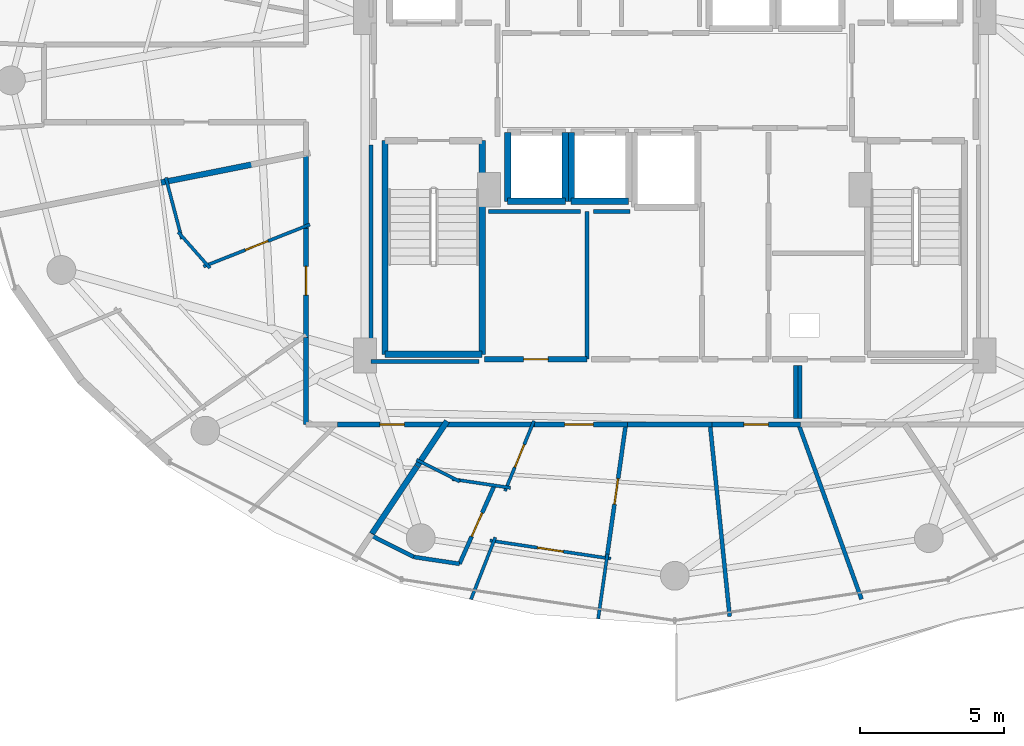
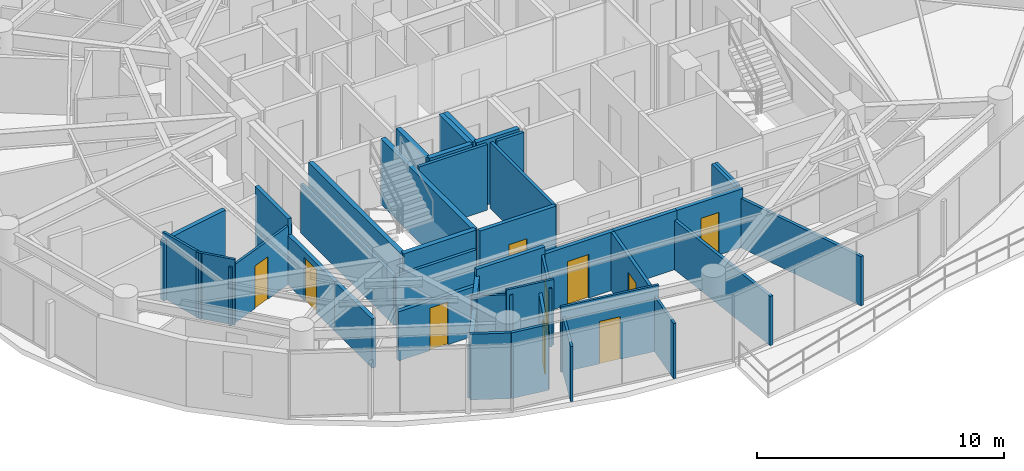
# One storey, part 21 of 30: 42 walls, 10 doors, 10 openings.
"""IFC4 building model written with IfcOpenShell, lengths in metres."""

from ifc_helpers import new_model, si_unit, direction, frame, frame_2d, origin, place, context, subcontext, project, spatial, rectangle, extrude, material, layer, layer_set, type_object, element, fill, save


model = new_model("IFC4")

# Units and contexts
model_context = context("Model", 3, precision=1e-05, world=origin(), true_north=direction((0.0, 1.0)))
body_context = subcontext(model_context, "Body", "Model", "MODEL_VIEW")
ifc_project = project(units=[si_unit("LENGTHUNIT", "METRE"), si_unit("AREAUNIT", "SQUARE_METRE"), si_unit("VOLUMEUNIT", "CUBIC_METRE"), si_unit("PLANEANGLEUNIT", "RADIAN"), si_unit("MASSUNIT", "GRAM", prefix="KILO")], contexts=[model_context])

# Site, building, storey
site_placement = place(None, origin())
site = spatial("IfcSite", under=ifc_project, at=site_placement, CompositionType="ELEMENT")
building_placement = place(site_placement, origin())
building = spatial("IfcBuilding", under=site, at=building_placement, Name="Vorneva Point Tower", CompositionType="ELEMENT")
storey_placement = place(building_placement, frame((0.0, 0.0, 157.10009765625)))
storey = spatial("IfcBuildingStorey", under=building, at=storey_placement, Name="L42", CompositionType="ELEMENT", Elevation=157.10009765625)

# Wall, opening, door
ifc_material_1 = material(Name="Fire-rated acoustic gypsum stud partition", Category="gypsum")
ifc_layer_1 = layer(ifc_material_1, 0.110107421875)
ifc_layer_set_1 = layer_set([ifc_layer_1], Name="Fire-rated acoustic gypsum stud partition")
wall_type_1 = type_object("IfcWallType", Name="WL-PART-110", PredefinedType="PARTITIONING", material=ifc_layer_set_1)
wall_1_placement = place(storey_placement, frame((25.330078125, 20.997314453125, 0.0), z_axis=(0.0, 0.0, 1.0), x_axis=(-0.930092731386, -0.367324803169, 0.0)))
wall_1 = element("IfcWall", 1, at=wall_1_placement, inside=storey, type_object=wall_type_1, Name="L42 Interior Partition 118", PredefinedType="PARTITIONING", context=body_context, shape_type="SweptSolid", body=[
    extrude(rectangle(XDim=3.968505859375, YDim=0.110107421875, at=frame_2d((1.984375, 0.0))), origin(), (0.0, 0.0, 1.0), 2.885986328125),
])
opening_1_placement = place(wall_1_placement, frame((1.559326171875, 0.0, 0.0)))
opening_1 = element("IfcOpeningElement", 2, at=opening_1_placement, cuts=wall_1, Name="Opening ID-02", PredefinedType="OPENING", context=body_context, shape_type="SweptSolid", body=[
    extrude(rectangle(XDim=0.85009765625, YDim=2.10009765625, at=frame_2d((0.425048828125, 1.050048828125))), frame((0.0, 0.06982421875, 0.0), z_axis=(0.0, -1.0, 0.0), x_axis=(1.0, 0.0, 0.0)), (0.0, 0.0, 1.0), 0.139892578125),
])
ifc_material_2 = material(Name="Engineered oak fire-rated door leaf", Category="wood")
door_type_1 = type_object("IfcDoorType", Name="DR-BATH-850", OperationType="NOTDEFINED", PredefinedType="DOOR", material=ifc_material_2)
door_1_placement = place(opening_1_placement, origin())
door_1 = element("IfcDoor", 3, at=door_1_placement, inside=storey, type_object=door_type_1, Name="L42 Door Living and Dining Room L42-05 / Bathroom L42-05", OperationType="SINGLE_SWING_RIGHT", OverallHeight=2.10009765625, OverallWidth=0.85009765625, PredefinedType="DOOR", context=body_context, shape_type="SweptSolid", body=[
    extrude(rectangle(XDim=0.85009765625, YDim=2.10009765625, at=frame_2d((0.425048828125, 1.050048828125))), frame((0.0, 0.02490234375, 0.0), z_axis=(0.0, -1.0, 0.0), x_axis=(1.0, 0.0, 0.0)), (0.0, 0.0, 1.0), 0.050048828125),
])
fill(opening_1, door_1)

# Walls
wall_2_placement = place(storey_placement, frame((21.861572265625, 19.486083984375, 0.0), z_axis=(0.0, 0.0, 1.0), x_axis=(-0.661645897528, 0.749816448396, 0.0)))
element("IfcWall", 4, at=wall_2_placement, inside=storey, type_object=wall_type_1, Name="L42 Interior Partition 119", PredefinedType="PARTITIONING", context=body_context, shape_type="SweptSolid", body=[
    extrude(rectangle(XDim=1.6640625, YDim=0.110107421875, at=frame_2d((0.83203125, 0.0))), origin(), (0.0, 0.0, 1.0), 3.239990234375),
])
wall_3_placement = place(storey_placement, frame((20.888671875, 20.49365234375, 0.0), z_axis=(0.0, 0.0, 1.0), x_axis=(-0.254389812051, 0.967101764823, 0.0)))
element("IfcWall", 5, at=wall_3_placement, inside=storey, type_object=wall_type_1, Name="L42 Interior Partition 120", PredefinedType="PARTITIONING", context=body_context, shape_type="SweptSolid", body=[
    extrude(rectangle(XDim=2.206298828125, YDim=0.110107421875, at=frame_2d((1.10302734375, 0.0))), origin(), (0.0, 0.0, 1.0), 3.239990234375),
])

# Wall, opening, door
wall_4_placement = place(storey_placement, frame((33.112548828125, 14.179443359375, 0.0), z_axis=(0.0, 0.0, 1.0), x_axis=(-0.382343605935, -0.924020220017, 0.0)))
wall_4 = element("IfcWall", 6, at=wall_4_placement, inside=storey, type_object=wall_type_1, Name="L42 Interior Partition 129", PredefinedType="PARTITIONING", context=body_context, shape_type="SweptSolid", body=[
    extrude(rectangle(XDim=2.634033203125, YDim=0.110107421875, at=frame_2d((1.31689453125, 0.0))), origin(), (0.0, 0.0, 1.0), 2.885986328125),
])
opening_2_placement = place(wall_4_placement, frame((0.89208984375, 0.0, 0.0)))
opening_2 = element("IfcOpeningElement", 7, at=opening_2_placement, cuts=wall_4, Name="Opening ID-02", PredefinedType="OPENING", context=body_context, shape_type="SweptSolid", body=[
    extrude(rectangle(XDim=0.85009765625, YDim=2.10009765625, at=frame_2d((0.425048828125, 1.050048828125))), frame((0.0, 0.06982421875, 0.0), z_axis=(0.0, -1.0, 0.0), x_axis=(1.0, 0.0, 0.0)), (0.0, 0.0, 1.0), 0.139892578125),
])
door_2_placement = place(opening_2_placement, origin())
door_2 = element("IfcDoor", 8, at=door_2_placement, inside=storey, type_object=door_type_1, Name="L42 Door Living and Dining Room L42-06 / Bathroom L42-06", OperationType="SINGLE_SWING_LEFT", OverallHeight=2.10009765625, OverallWidth=0.85009765625, PredefinedType="DOOR", context=body_context, shape_type="SweptSolid", body=[
    extrude(rectangle(XDim=0.85009765625, YDim=2.10009765625, at=frame_2d((0.425048828125, 1.050048828125))), frame((0.0, 0.02490234375, 0.0), z_axis=(0.0, -1.0, 0.0), x_axis=(1.0, 0.0, 0.0)), (0.0, 0.0, 1.0), 0.050048828125),
])
fill(opening_2, door_2)

# Walls
wall_5_placement = place(storey_placement, frame((32.29736328125, 11.854248046875, 0.0), z_axis=(0.0, 0.0, 1.0), x_axis=(-0.988917131865, 0.148468536412, 0.0)))
element("IfcWall", 9, at=wall_5_placement, inside=storey, type_object=wall_type_1, Name="L42 Interior Partition 130", PredefinedType="PARTITIONING", context=body_context, shape_type="SweptSolid", body=[
    extrude(rectangle(XDim=2.050537109375, YDim=0.110107421875, at=frame_2d((1.025390625, 0.0))), origin(), (0.0, 0.0, 1.0), 3.239990234375),
])
wall_6_placement = place(storey_placement, frame((30.9248046875, 7.981689453125, 0.0), z_axis=(0.0, 0.0, 1.0), x_axis=(0.365433616255, 0.930837403691, 0.0)))
element("IfcWall", 10, at=wall_6_placement, inside=storey, type_object=wall_type_1, Name="L42 Interior Partition 131", PredefinedType="PARTITIONING", context=body_context, shape_type="SweptSolid", body=[
    extrude(rectangle(XDim=2.3134765625, YDim=0.110107421875, at=frame_2d((1.15673828125, 0.0))), origin(), (0.0, 0.0, 1.0), 2.727783203125),
])

# Wall, opening, door
wall_7_placement = place(storey_placement, frame((31.58056640625, 10.02587890625, 0.0), z_axis=(0.0, 0.0, 1.0), x_axis=(0.988869600434, -0.148784788666, 0.0)))
wall_7 = element("IfcWall", 11, at=wall_7_placement, inside=storey, type_object=wall_type_1, Name="L42 Interior Partition 132", PredefinedType="PARTITIONING", context=body_context, shape_type="SweptSolid", body=[
    extrude(rectangle(XDim=4.2451171875, YDim=0.110107421875, at=frame_2d((2.12255859375, 0.0))), origin(), (0.0, 0.0, 1.0), 3.239990234375),
])
opening_3_placement = place(wall_7_placement, frame((1.672607421875, 0.0, 0.0)))
opening_3 = element("IfcOpeningElement", 12, at=opening_3_placement, cuts=wall_7, Name="Opening ID-01", PredefinedType="OPENING", context=body_context, shape_type="SweptSolid", body=[
    extrude(rectangle(XDim=0.89990234375, YDim=2.10009765625, at=frame_2d((0.449951171875, 1.050048828125))), frame((0.0, 0.06982421875, 0.0), z_axis=(0.0, -1.0, 0.0), x_axis=(1.0, 0.0, 0.0)), (0.0, 0.0, 1.0), 0.139892578125),
])
door_type_2 = type_object("IfcDoorType", Name="DR-ROOM-900", OperationType="NOTDEFINED", PredefinedType="DOOR", material=ifc_material_2)
door_3_placement = place(opening_3_placement, origin())
door_3 = element("IfcDoor", 13, at=door_3_placement, inside=storey, type_object=door_type_2, Name="L42 Door Living and Dining Room L42-06 / Kitchen L42-06", OperationType="SINGLE_SWING_RIGHT", OverallHeight=2.10009765625, OverallWidth=0.89990234375, PredefinedType="DOOR", context=body_context, shape_type="SweptSolid", body=[
    extrude(rectangle(XDim=0.89990234375, YDim=2.10009765625, at=frame_2d((0.449951171875, 1.050048828125))), frame((0.0, 0.02490234375, 0.0), z_axis=(0.0, -1.0, 0.0), x_axis=(1.0, 0.0, 0.0)), (0.0, 0.0, 1.0), 0.050048828125),
])
fill(opening_3, door_3)

# Walls
wall_8_placement = place(storey_placement, frame((29.033935546875, 12.83203125, 0.0), z_axis=(0.0, 0.0, 1.0), x_axis=(0.892617244745, -0.450815321816, 0.0)))
element("IfcWall", 14, at=wall_8_placement, inside=storey, type_object=wall_type_1, Name="L42 Interior Partition 137", PredefinedType="PARTITIONING", context=body_context, shape_type="SweptSolid", body=[
    extrude(rectangle(XDim=1.679443359375, YDim=0.110107421875, at=frame_2d((0.83984375, 0.0))), origin(), (0.0, 0.0, 1.0), 2.971923828125),
])
wall_9_placement = place(storey_placement, frame((35.34033203125, 7.308349609375, 0.0), z_axis=(0.0, 0.0, 1.0), x_axis=(0.140803429846, 0.990037572087, 0.0)))
element("IfcWall", 15, at=wall_9_placement, inside=storey, type_object=wall_type_1, Name="L42 Interior Partition 138", PredefinedType="PARTITIONING", context=body_context, shape_type="SweptSolid", body=[
    extrude(rectangle(XDim=2.26806640625, YDim=0.110107421875, at=frame_2d((1.134033203125, 0.0))), origin(), (0.0, 0.0, 1.0), 2.727783203125),
])
ifc_layer_2 = layer(ifc_material_1, 0.139892578125)
ifc_layer_set_2 = layer_set([ifc_layer_2], Name="Fire-rated acoustic gypsum stud partition")
wall_type_2 = type_object("IfcWallType", Name="WL-PART-140", PredefinedType="PARTITIONING", material=ifc_layer_set_2)
wall_10_placement = place(storey_placement, frame((34.949951171875, 16.320068359375, 0.0), z_axis=(0.0, 0.0, 1.0), x_axis=(0.0, 1.0, 0.0)))
element("IfcWall", 16, at=wall_10_placement, inside=storey, type_object=wall_type_2, Name="L42 Interior Partition 031", PredefinedType="PARTITIONING", context=body_context, shape_type="SweptSolid", body=[
    extrude(rectangle(XDim=5.1298828125, YDim=0.139892578125, at=frame_2d((2.56494140625, 0.0))), origin(), (0.0, 0.0, 1.0), 3.239990234375),
])

# Wall, opening, door
wall_11_placement = place(storey_placement, frame((31.738037109375, 11.93798828125, 0.0), z_axis=(0.0, 0.0, 1.0), x_axis=(-0.406814964782, -0.913510582549, 0.0)))
wall_11 = element("IfcWall", 17, at=wall_11_placement, inside=storey, type_object=wall_type_2, Name="L42 Interior Partition 133", PredefinedType="PARTITIONING", context=body_context, shape_type="SweptSolid", body=[
    extrude(rectangle(XDim=2.979736328125, YDim=0.139892578125, at=frame_2d((1.48974609375, 0.0))), origin(), (0.0, 0.0, 1.0), 2.727783203125),
])
opening_4_placement = place(wall_11_placement, frame((1.039794921875, 0.0, 0.0)))
opening_4 = element("IfcOpeningElement", 18, at=opening_4_placement, cuts=wall_11, Name="Opening ID-01", PredefinedType="OPENING", context=body_context, shape_type="SweptSolid", body=[
    extrude(rectangle(XDim=0.89990234375, YDim=2.10009765625, at=frame_2d((0.449951171875, 1.050048828125))), frame((0.0, 0.0849609375, 0.0), z_axis=(0.0, -1.0, 0.0), x_axis=(1.0, 0.0, 0.0)), (0.0, 0.0, 1.0), 0.169677734375),
])
door_4_placement = place(opening_4_placement, origin())
door_4 = element("IfcDoor", 19, at=door_4_placement, inside=storey, type_object=door_type_2, Name="L42 Door Living and Dining Room L42-06 / Study Room L42-06", OperationType="SINGLE_SWING_LEFT", OverallHeight=2.10009765625, OverallWidth=0.89990234375, PredefinedType="DOOR", context=body_context, shape_type="SweptSolid", body=[
    extrude(rectangle(XDim=0.89990234375, YDim=2.10009765625, at=frame_2d((0.449951171875, 1.050048828125))), frame((0.0, 0.02490234375, 0.0), z_axis=(0.0, -1.0, 0.0), x_axis=(1.0, 0.0, 0.0)), (0.0, 0.0, 1.0), 0.050048828125),
])
fill(opening_4, door_4)

# Walls
wall_12_placement = place(storey_placement, frame((30.52587890625, 9.216064453125, 0.0), z_axis=(0.0, 0.0, 1.0), x_axis=(-0.988860390109, 0.148845990455, 0.0)))
element("IfcWall", 20, at=wall_12_placement, inside=storey, type_object=wall_type_2, Name="L42 Interior Partition 134", PredefinedType="PARTITIONING", context=body_context, shape_type="SweptSolid", body=[
    extrude(rectangle(XDim=1.605712890625, YDim=0.139892578125, at=frame_2d((0.802734375, 0.0))), origin(), (0.0, 0.0, 1.0), 3.239990234375),
])
wall_13_placement = place(storey_placement, frame((28.93798828125, 9.455078125, 0.0), z_axis=(0.0, 0.0, 1.0), x_axis=(-0.892517956507, 0.451011859392, 0.0)))
element("IfcWall", 21, at=wall_13_placement, inside=storey, type_object=wall_type_2, Name="L42 Interior Partition 135", PredefinedType="PARTITIONING", context=body_context, shape_type="SweptSolid", body=[
    extrude(rectangle(XDim=1.66943359375, YDim=0.139892578125, at=frame_2d((0.834716796875, 0.0))), origin(), (0.0, 0.0, 1.0), 3.239990234375),
])

# Wall, opening, door
wall_14_placement = place(storey_placement, frame((35.639892578125, 9.4150390625, 0.0), z_axis=(0.0, 0.0, 1.0), x_axis=(0.140800762129, 0.990037951487, 0.0)))
wall_14 = element("IfcWall", 22, at=wall_14_placement, inside=storey, type_object=wall_type_2, Name="L42 Interior Partition 136", PredefinedType="PARTITIONING", context=body_context, shape_type="SweptSolid", body=[
    extrude(rectangle(XDim=4.681640625, YDim=0.139892578125, at=frame_2d((2.3408203125, 0.0))), origin(), (0.0, 0.0, 1.0), 2.885986328125),
])
opening_5_placement = place(wall_14_placement, frame((1.890869140625, 0.0, 0.0)))
opening_5 = element("IfcOpeningElement", 23, at=opening_5_placement, cuts=wall_14, Name="Opening ID-01", PredefinedType="OPENING", context=body_context, shape_type="SweptSolid", body=[
    extrude(rectangle(XDim=0.89990234375, YDim=2.10009765625, at=frame_2d((0.449951171875, 1.050048828125))), frame((0.0, 0.0849609375, 0.0), z_axis=(0.0, -1.0, 0.0), x_axis=(1.0, 0.0, 0.0)), (0.0, 0.0, 1.0), 0.169677734375),
])
door_5_placement = place(opening_5_placement, origin())
door_5 = element("IfcDoor", 24, at=door_5_placement, inside=storey, type_object=door_type_2, Name="L42 Door Living and Dining Room L42-06 / Master Bedroom L42-06.1", OperationType="SINGLE_SWING_RIGHT", OverallHeight=2.10009765625, OverallWidth=0.89990234375, PredefinedType="DOOR", context=body_context, shape_type="SweptSolid", body=[
    extrude(rectangle(XDim=0.89990234375, YDim=2.10009765625, at=frame_2d((0.449951171875, 1.050048828125))), frame((0.0, 0.02490234375, 0.0), z_axis=(0.0, -1.0, 0.0), x_axis=(1.0, 0.0, 0.0)), (0.0, 0.0, 1.0), 0.050048828125),
])
fill(opening_5, door_5)

# Walls
wall_15_placement = place(storey_placement, frame((39.906005859375, 7.39208984375, 0.0), z_axis=(0.0, 0.0, 1.0), x_axis=(-0.101883545041, 0.994796332547, 0.0)))
element("IfcWall", 25, at=wall_15_placement, inside=storey, type_object=wall_type_2, Name="L42 Interior Partition 139", PredefinedType="PARTITIONING", context=body_context, shape_type="SweptSolid", body=[
    extrude(rectangle(XDim=6.69287109375, YDim=0.139892578125, at=frame_2d((3.346435546875, 0.0))), origin(), (0.0, 0.0, 1.0), 2.431884765625),
])
wall_16_placement = place(storey_placement, frame((44.48388671875, 7.989013671875, 0.0), z_axis=(0.0, 0.0, 1.0), x_axis=(-0.338707389808, 0.940891760028, 0.0)))
element("IfcWall", 26, at=wall_16_placement, inside=storey, type_object=wall_type_2, Name="L42 Interior Partition 140", PredefinedType="PARTITIONING", context=body_context, shape_type="SweptSolid", body=[
    extrude(rectangle(XDim=6.44189453125, YDim=0.139892578125, at=frame_2d((3.220947265625, 0.0))), origin(), (0.0, 0.0, 1.0), 2.431884765625),
])
wall_17_placement = place(storey_placement, frame((34.72998046875, 21.449951171875, 0.0), z_axis=(0.0, 0.0, 1.0), x_axis=(-1.0, 0.0, 0.0)))
element("IfcWall", 27, at=wall_17_placement, inside=storey, type_object=wall_type_2, Name="L42 Interior Closure Partition 148", PredefinedType="PARTITIONING", context=body_context, shape_type="SweptSolid", body=[
    extrude(rectangle(XDim=3.199951171875, YDim=0.139892578125, at=frame_2d((1.60009765625, 0.0))), origin(), (0.0, 0.0, 1.0), 3.239990234375),
])
wall_18_placement = place(storey_placement, frame((36.43896484375, 21.449951171875, 0.0), z_axis=(0.0, 0.0, 1.0), x_axis=(-1.0, 0.0, 0.0)))
element("IfcWall", 28, at=wall_18_placement, inside=storey, type_object=wall_type_2, Name="L42 Interior Closure Partition 149", PredefinedType="PARTITIONING", context=body_context, shape_type="SweptSolid", body=[
    extrude(rectangle(XDim=1.259033203125, YDim=0.139892578125, at=frame_2d((0.62939453125, 0.0))), origin(), (0.0, 0.0, 1.0), 3.239990234375),
])
wall_19_placement = place(storey_placement, frame((27.449951171875, 23.75390625, 0.0), z_axis=(0.0, 0.0, 1.0), x_axis=(0.0, -1.0, 0.0)))
element("IfcWall", 29, at=wall_19_placement, inside=storey, type_object=wall_type_2, Name="L42 Interior Closure Partition 159", PredefinedType="PARTITIONING", context=body_context, shape_type="SweptSolid", body=[
    extrude(rectangle(XDim=7.513916015625, YDim=0.139892578125, at=frame_2d((3.7568359375, 0.0))), origin(), (0.0, 0.0, 1.0), 2.431884765625),
])
wall_20_placement = place(storey_placement, frame((27.449951171875, 16.239990234375, 0.0), z_axis=(0.0, 0.0, 1.0), x_axis=(1.0, 0.0, 0.0)))
element("IfcWall", 30, at=wall_20_placement, inside=storey, type_object=wall_type_2, Name="L42 Interior Closure Partition 160", PredefinedType="PARTITIONING", context=body_context, shape_type="SweptSolid", body=[
    extrude(rectangle(XDim=3.7451171875, YDim=0.139892578125, at=frame_2d((1.87255859375, 0.0))), origin(), (0.0, 0.0, 1.0), 2.431884765625),
])
for number, where, z_axis, x_axis, name in (
    (31, (42.199951171875, 16.10009765625, 0.0), (0.0, 0.0, 1.0), (0.0, -1.0, 0.0), "L42 Interior Closure Partition 161"),
    (32, (42.340087890625, 14.27001953125, 0.0), (0.0, 0.0, 1.0), (0.0, 1.0, 0.0), "L42 Interior Closure Partition 162"),
):
    element("IfcWall", number, at=place(storey_placement, frame(where, z_axis=z_axis, x_axis=x_axis)), inside=storey, type_object=wall_type_2, Name=name, PredefinedType="PARTITIONING", context=body_context, shape_type="SweptSolid", body=[
        extrude(rectangle(XDim=1.830078125, YDim=0.139892578125, at=frame_2d((0.9150390625, 0.0))), origin(), (0.0, 0.0, 1.0), 2.885986328125),
    ])

# Wall, opening, door
ifc_material_3 = material(Name="Autoclaved aerated concrete blockwork", Category="masonry")
ifc_layer_3 = layer(ifc_material_3, 0.179931640625)
ifc_layer_set_3 = layer_set([ifc_layer_3], Name="Autoclaved aerated concrete blockwork")
wall_type_3 = type_object("IfcWallType", Name="WL-PART-180", PredefinedType="PARTITIONING", material=ifc_layer_set_3)
wall_21_placement = place(storey_placement, frame((31.39990234375, 16.320068359375, 0.0), z_axis=(0.0, 0.0, 1.0), x_axis=(1.0, 0.0, 0.0)))
wall_21 = element("IfcWall", 33, at=wall_21_placement, inside=storey, type_object=wall_type_3, Name="L42 Interior Partition 032", PredefinedType="PARTITIONING", context=body_context, shape_type="SweptSolid", body=[
    extrude(rectangle(XDim=3.550048828125, YDim=0.179931640625, at=frame_2d((1.77490234375, 0.0))), origin(), (0.0, 0.0, 1.0), 3.239990234375),
])
opening_6_placement = place(wall_21_placement, frame((1.35009765625, 0.0, 0.0)))
opening_6 = element("IfcOpeningElement", 34, at=opening_6_placement, cuts=wall_21, Name="Opening ID-02", PredefinedType="OPENING", context=body_context, shape_type="SweptSolid", body=[
    extrude(rectangle(XDim=0.85009765625, YDim=2.10009765625, at=frame_2d((0.425048828125, 1.050048828125))), frame((0.0, 0.10498046875, 0.0), z_axis=(0.0, -1.0, 0.0), x_axis=(1.0, 0.0, 0.0)), (0.0, 0.0, 1.0), 0.209716796875),
])
door_6_placement = place(opening_6_placement, origin())
door_6 = element("IfcDoor", 35, at=door_6_placement, inside=storey, type_object=door_type_1, Name="L42 Door Luggage Store / L42 Circulation Corridor", OperationType="SINGLE_SWING_RIGHT", OverallHeight=2.10009765625, OverallWidth=0.85009765625, PredefinedType="DOOR", context=body_context, shape_type="SweptSolid", body=[
    extrude(rectangle(XDim=0.85009765625, YDim=2.10009765625, at=frame_2d((0.425048828125, 1.050048828125))), frame((0.0, 0.02490234375, 0.0), z_axis=(0.0, -1.0, 0.0), x_axis=(1.0, 0.0, 0.0)), (0.0, 0.0, 1.0), 0.050048828125),
])
fill(opening_6, door_6)

wall_22_placement = place(storey_placement, frame((25.199951171875, 21.006103515625, 0.0), z_axis=(0.0, 0.0, 1.0), x_axis=(0.0, -1.0, 0.0)))
wall_22 = element("IfcWall", 36, at=wall_22_placement, inside=storey, type_object=wall_type_3, Name="L42 Interior Partition 056", PredefinedType="PARTITIONING", context=body_context, shape_type="SweptSolid", body=[
    extrude(rectangle(XDim=3.926025390625, YDim=0.179931640625, at=frame_2d((1.962890625, 0.0))), origin(), (0.0, 0.0, 1.0), 2.431884765625),
])
opening_7_placement = place(wall_22_placement, frame((1.462890625, 0.0, 0.0)))
opening_7 = element("IfcOpeningElement", 37, at=opening_7_placement, cuts=wall_22, Name="Opening UD-01", PredefinedType="OPENING", context=body_context, shape_type="SweptSolid", body=[
    extrude(rectangle(XDim=1.0, YDim=2.14990234375, at=frame_2d((0.5, 1.074951171875))), frame((0.0, 0.10498046875, 0.0), z_axis=(0.0, -1.0, 0.0), x_axis=(1.0, 0.0, 0.0)), (0.0, 0.0, 1.0), 0.209716796875),
])
door_type_3 = type_object("IfcDoorType", Name="DR-UNIT-1000", OperationType="NOTDEFINED", PredefinedType="DOOR", material=ifc_material_2)
door_7_placement = place(opening_7_placement, origin())
door_7 = element("IfcDoor", 38, at=door_7_placement, inside=storey, type_object=door_type_3, Name="L42 Door L42 Circulation Corridor / Living and Dining Room L42-05", OperationType="SINGLE_SWING_RIGHT", OverallHeight=2.14990234375, OverallWidth=1.0, PredefinedType="DOOR", context=body_context, shape_type="SweptSolid", body=[
    extrude(rectangle(XDim=1.0, YDim=2.14990234375, at=frame_2d((0.5, 1.074951171875))), frame((0.0, 0.02490234375, 0.0), z_axis=(0.0, -1.0, 0.0), x_axis=(1.0, 0.0, 0.0)), (0.0, 0.0, 1.0), 0.050048828125),
])
fill(opening_7, door_7)

# Walls
wall_23_placement = place(storey_placement, frame((25.199951171875, 23.532958984375, 0.0), z_axis=(0.0, 0.0, 1.0), x_axis=(0.0, -1.0, 0.0)))
element("IfcWall", 39, at=wall_23_placement, inside=storey, type_object=wall_type_3, Name="L42 Interior Partition 057", PredefinedType="PARTITIONING", context=body_context, shape_type="SweptSolid", body=[
    extrude(rectangle(XDim=2.6669921875, YDim=0.179931640625, at=frame_2d((1.33349609375, 0.0))), origin(), (0.0, 0.0, 1.0), 3.239990234375),
])
wall_24_placement = place(storey_placement, frame((25.199951171875, 17.080078125, 0.0), z_axis=(0.0, 0.0, 1.0), x_axis=(0.0, -1.0, 0.0)))
element("IfcWall", 40, at=wall_24_placement, inside=storey, type_object=wall_type_3, Name="L42 Interior Partition 058", PredefinedType="PARTITIONING", context=body_context, shape_type="SweptSolid", body=[
    extrude(rectangle(XDim=3.030029296875, YDim=0.179931640625, at=frame_2d((1.51513671875, 0.0))), origin(), (0.0, 0.0, 1.0), 2.431884765625),
])

# Wall, opening, door
wall_25_placement = place(storey_placement, frame((26.2958984375, 14.050048828125, 0.0), z_axis=(0.0, 0.0, 1.0), x_axis=(1.0, 0.0, 0.0)))
wall_25 = element("IfcWall", 41, at=wall_25_placement, inside=storey, type_object=wall_type_3, Name="L42 Interior Partition 060", PredefinedType="PARTITIONING", context=body_context, shape_type="SweptSolid", body=[
    extrude(rectangle(XDim=3.779052734375, YDim=0.179931640625, at=frame_2d((1.8896484375, 0.0))), origin(), (0.0, 0.0, 1.0), 2.431884765625),
])
opening_8_placement = place(wall_25_placement, frame((1.464599609375, 0.0, 0.0)))
opening_8 = element("IfcOpeningElement", 42, at=opening_8_placement, cuts=wall_25, Name="Opening ID-02", PredefinedType="OPENING", context=body_context, shape_type="SweptSolid", body=[
    extrude(rectangle(XDim=0.85009765625, YDim=2.10009765625, at=frame_2d((0.425048828125, 1.050048828125))), frame((0.0, 0.10498046875, 0.0), z_axis=(0.0, -1.0, 0.0), x_axis=(1.0, 0.0, 0.0)), (0.0, 0.0, 1.0), 0.209716796875),
])
door_8_placement = place(opening_8_placement, origin())
door_8 = element("IfcDoor", 43, at=door_8_placement, inside=storey, type_object=door_type_1, Name="L42 Access Door L42 Circulation Corridor", OperationType="SINGLE_SWING_LEFT", OverallHeight=2.10009765625, OverallWidth=0.85009765625, PredefinedType="DOOR", context=body_context, shape_type="SweptSolid", body=[
    extrude(rectangle(XDim=0.85009765625, YDim=2.10009765625, at=frame_2d((0.425048828125, 1.050048828125))), frame((0.0, 0.02490234375, 0.0), z_axis=(0.0, -1.0, 0.0), x_axis=(1.0, 0.0, 0.0)), (0.0, 0.0, 1.0), 0.050048828125),
])
fill(opening_8, door_8)

wall_26_placement = place(storey_placement, frame((32.993896484375, 14.050048828125, 0.0), z_axis=(0.0, 0.0, 1.0), x_axis=(1.0, 0.0, 0.0)))
wall_26 = element("IfcWall", 44, at=wall_26_placement, inside=storey, type_object=wall_type_3, Name="L42 Interior Partition 061", PredefinedType="PARTITIONING", context=body_context, shape_type="SweptSolid", body=[
    extrude(rectangle(XDim=3.364990234375, YDim=0.179931640625, at=frame_2d((1.6826171875, 0.0))), origin(), (0.0, 0.0, 1.0), 2.885986328125),
])
opening_9_placement = place(wall_26_placement, frame((1.1826171875, 0.0, 0.0)))
opening_9 = element("IfcOpeningElement", 45, at=opening_9_placement, cuts=wall_26, Name="Opening UD-01", PredefinedType="OPENING", context=body_context, shape_type="SweptSolid", body=[
    extrude(rectangle(XDim=1.0, YDim=2.14990234375, at=frame_2d((0.5, 1.074951171875))), frame((0.0, 0.10498046875, 0.0), z_axis=(0.0, -1.0, 0.0), x_axis=(1.0, 0.0, 0.0)), (0.0, 0.0, 1.0), 0.209716796875),
])
door_9_placement = place(opening_9_placement, origin())
door_9 = element("IfcDoor", 46, at=door_9_placement, inside=storey, type_object=door_type_3, Name="L42 Door L42 Circulation Corridor / Living and Dining Room L42-06", OperationType="SINGLE_SWING_LEFT", OverallHeight=2.14990234375, OverallWidth=1.0, PredefinedType="DOOR", context=body_context, shape_type="SweptSolid", body=[
    extrude(rectangle(XDim=1.0, YDim=2.14990234375, at=frame_2d((0.5, 1.074951171875))), frame((0.0, 0.02490234375, 0.0), z_axis=(0.0, -1.0, 0.0), x_axis=(1.0, 0.0, 0.0)), (0.0, 0.0, 1.0), 0.050048828125),
])
fill(opening_9, door_9)

# Walls
wall_27_placement = place(storey_placement, frame((29.93505859375, 14.050048828125, 0.0), z_axis=(0.0, 0.0, 1.0), x_axis=(1.0, 0.0, 0.0)))
element("IfcWall", 47, at=wall_27_placement, inside=storey, type_object=wall_type_3, Name="L42 Interior Partition 062", PredefinedType="PARTITIONING", context=body_context, shape_type="SweptSolid", body=[
    extrude(rectangle(XDim=3.198974609375, YDim=0.179931640625, at=frame_2d((1.599609375, 0.0))), origin(), (0.0, 0.0, 1.0), 3.239990234375),
])
wall_28_placement = place(storey_placement, frame((36.35888671875, 14.050048828125, 0.0), z_axis=(0.0, 0.0, 1.0), x_axis=(1.0, 0.0, 0.0)))
element("IfcWall", 48, at=wall_28_placement, inside=storey, type_object=wall_type_3, Name="L42 Interior Partition 063", PredefinedType="PARTITIONING", context=body_context, shape_type="SweptSolid", body=[
    extrude(rectangle(XDim=2.925048828125, YDim=0.179931640625, at=frame_2d((1.46240234375, 0.0))), origin(), (0.0, 0.0, 1.0), 2.885986328125),
])

# Wall, opening, door
wall_29_placement = place(storey_placement, frame((39.283935546875, 14.050048828125, 0.0), z_axis=(0.0, 0.0, 1.0), x_axis=(1.0, 0.0, 0.0)))
wall_29 = element("IfcWall", 49, at=wall_29_placement, inside=storey, type_object=wall_type_3, Name="L42 Interior Partition 064", PredefinedType="PARTITIONING", context=body_context, shape_type="SweptSolid", body=[
    extrude(rectangle(XDim=3.08203125, YDim=0.179931640625, at=frame_2d((1.541015625, 0.0))), origin(), (0.0, 0.0, 1.0), 2.885986328125),
])
opening_10_placement = place(wall_29_placement, frame((1.115966796875, 0.0, 0.0)))
opening_10 = element("IfcOpeningElement", 50, at=opening_10_placement, cuts=wall_29, Name="Opening ID-02", PredefinedType="OPENING", context=body_context, shape_type="SweptSolid", body=[
    extrude(rectangle(XDim=0.85009765625, YDim=2.10009765625, at=frame_2d((0.425048828125, 1.050048828125))), frame((0.0, 0.10498046875, 0.0), z_axis=(0.0, -1.0, 0.0), x_axis=(1.0, 0.0, 0.0)), (0.0, 0.0, 1.0), 0.209716796875),
])
door_10_placement = place(opening_10_placement, origin())
door_10 = element("IfcDoor", 51, at=door_10_placement, inside=storey, type_object=door_type_1, Name="L42 Access Door L42 Circulation Corridor", OperationType="SINGLE_SWING_RIGHT", OverallHeight=2.10009765625, OverallWidth=0.85009765625, PredefinedType="DOOR", context=body_context, shape_type="SweptSolid", body=[
    extrude(rectangle(XDim=0.85009765625, YDim=2.10009765625, at=frame_2d((0.425048828125, 1.050048828125))), frame((0.0, 0.02490234375, 0.0), z_axis=(0.0, -1.0, 0.0), x_axis=(1.0, 0.0, 0.0)), (0.0, 0.0, 1.0), 0.050048828125),
])
fill(opening_10, door_10)

# Walls
ifc_layer_4 = layer(ifc_material_3, 0.199951171875)
ifc_layer_set_4 = layer_set([ifc_layer_4], Name="Autoclaved aerated concrete blockwork")
wall_type_4 = type_object("IfcWallType", Name="WL-PART-200", PredefinedType="PARTITIONING", material=ifc_layer_set_4)
wall_30_placement = place(storey_placement, frame((20.166748046875, 22.45263671875, 0.0), z_axis=(0.0, 0.0, 1.0), x_axis=(0.980766708229, 0.195183667423, 0.0)))
element("IfcWall", 52, at=wall_30_placement, inside=storey, type_object=wall_type_4, Name="L42 Interior Partition 116", PredefinedType="PARTITIONING", context=body_context, shape_type="SweptSolid", body=[
    extrude(rectangle(XDim=3.323486328125, YDim=0.199951171875, at=frame_2d((1.66162109375, 0.0))), origin(), (0.0, 0.0, 1.0), 2.971923828125),
])
wall_31_placement = place(storey_placement, frame((29.048095703125, 12.6025390625, 0.0), z_axis=(0.0, 0.0, 1.0), x_axis=(0.555448864434, 0.831550695387, 0.0)))
element("IfcWall", 53, at=wall_31_placement, inside=storey, type_object=wall_type_4, Name="L42 Interior Partition 127", PredefinedType="PARTITIONING", context=body_context, shape_type="SweptSolid", body=[
    extrude(rectangle(XDim=1.880859375, YDim=0.199951171875, at=frame_2d((0.9404296875, 0.0))), origin(), (0.0, 0.0, 1.0), 2.885986328125),
])
wall_32_placement = place(storey_placement, frame((27.48193359375, 10.258056640625, 0.0), z_axis=(0.0, 0.0, 1.0), x_axis=(0.5554636799, 0.831540798946, 0.0)))
element("IfcWall", 54, at=wall_32_placement, inside=storey, type_object=wall_type_4, Name="L42 Interior Partition 128", PredefinedType="PARTITIONING", context=body_context, shape_type="SweptSolid", body=[
    extrude(rectangle(XDim=2.80322265625, YDim=0.199951171875, at=frame_2d((1.401611328125, 0.0))), origin(), (0.0, 0.0, 1.0), 2.431884765625),
])
ifc_material_4 = material(Name="Concrete B50 (C40/50)", Category="concrete")
ifc_layer_5 = layer(ifc_material_4, 0.219970703125)
ifc_layer_set_5 = layer_set([ifc_layer_5], Name="Concrete B50 (C40/50)")
wall_type_5 = type_object("IfcWallType", Name="WL-SHFT-220", PredefinedType="SOLIDWALL", material=ifc_layer_set_5)
wall_33_placement = place(storey_placement, frame((31.31005859375, 23.909912109375, 0.0), z_axis=(0.0, 0.0, 1.0), x_axis=(0.0, -1.0, 0.0)))
element("IfcWall", 55, at=wall_33_placement, inside=storey, type_object=wall_type_5, Name="L42 Exit Stair ST1 Shaft Wall right", PredefinedType="SOLIDWALL", context=body_context, shape_type="SweptSolid", body=[
    extrude(rectangle(XDim=7.419921875, YDim=0.219970703125, at=frame_2d((3.7099609375, 0.0))), origin(), (0.0, 0.0, 1.0), 3.239990234375),
])
wall_34_placement = place(storey_placement, frame((31.31005859375, 16.489990234375, 0.0), z_axis=(0.0, 0.0, 1.0), x_axis=(-1.0, 0.0, 0.0)))
element("IfcWall", 56, at=wall_34_placement, inside=storey, type_object=wall_type_5, Name="L42 Exit Stair ST1 Shaft Wall far", PredefinedType="SOLIDWALL", context=body_context, shape_type="SweptSolid", body=[
    extrude(rectangle(XDim=3.3701171875, YDim=0.219970703125, at=frame_2d((1.68505859375, 0.0))), origin(), (0.0, 0.0, 1.0), 3.239990234375),
])
wall_35_placement = place(storey_placement, frame((27.93994140625, 16.489990234375, 0.0), z_axis=(0.0, 0.0, 1.0), x_axis=(0.0, 1.0, 0.0)))
element("IfcWall", 57, at=wall_35_placement, inside=storey, type_object=wall_type_5, Name="L42 Exit Stair ST1 Shaft Wall left", PredefinedType="SOLIDWALL", context=body_context, shape_type="SweptSolid", body=[
    extrude(rectangle(XDim=7.419921875, YDim=0.219970703125, at=frame_2d((3.7099609375, 0.0))), origin(), (0.0, 0.0, 1.0), 3.239990234375),
])
wall_36_placement = place(storey_placement, frame((32.199951171875, 21.800048828125, 0.0), z_axis=(0.0, 0.0, 1.0), x_axis=(1.0, 0.0, 0.0)))
element("IfcWall", 58, at=wall_36_placement, inside=storey, type_object=wall_type_5, Name="L42 Lift PL4 Shaft Wall -Y", PredefinedType="SOLIDWALL", context=body_context, shape_type="SweptSolid", body=[
    extrude(rectangle(XDim=2.0, YDim=0.219970703125, at=frame_2d((1.0, 0.0))), origin(), (0.0, 0.0, 1.0), 3.239990234375),
])
for number, where, z_axis, x_axis, name in (
    (59, (34.199951171875, 21.800048828125, 0.0), (0.0, 0.0, 1.0), (0.0, 1.0, 0.0), "L42 Lift PL4 Shaft Wall +X"),
    (60, (32.199951171875, 24.199951171875, 0.0), (0.0, 0.0, 1.0), (0.0, -1.0, 0.0), "L42 Lift PL4 Shaft Wall -X"),
):
    element("IfcWall", number, at=place(storey_placement, frame(where, z_axis=z_axis, x_axis=x_axis)), inside=storey, type_object=wall_type_5, Name=name, PredefinedType="SOLIDWALL", context=body_context, shape_type="SweptSolid", body=[
        extrude(rectangle(XDim=2.39990234375, YDim=0.219970703125, at=frame_2d((1.199951171875, 0.0))), origin(), (0.0, 0.0, 1.0), 3.239990234375),
    ])
wall_37_placement = place(storey_placement, frame((34.39990234375, 21.800048828125, 0.0), z_axis=(0.0, 0.0, 1.0), x_axis=(1.0, 0.0, 0.0)))
element("IfcWall", 61, at=wall_37_placement, inside=storey, type_object=wall_type_5, Name="L42 Lift PL5 Shaft Wall -Y", PredefinedType="SOLIDWALL", context=body_context, shape_type="SweptSolid", body=[
    extrude(rectangle(XDim=2.0, YDim=0.219970703125, at=frame_2d((1.0, 0.0))), origin(), (0.0, 0.0, 1.0), 3.239990234375),
])
wall_38_placement = place(storey_placement, frame((34.39990234375, 24.199951171875, 0.0), z_axis=(0.0, 0.0, 1.0), x_axis=(0.0, -1.0, 0.0)))
element("IfcWall", 62, at=wall_38_placement, inside=storey, type_object=wall_type_5, Name="L42 Lift PL5 Shaft Wall -X", PredefinedType="SOLIDWALL", context=body_context, shape_type="SweptSolid", body=[
    extrude(rectangle(XDim=2.39990234375, YDim=0.219970703125, at=frame_2d((1.199951171875, 0.0))), origin(), (0.0, 0.0, 1.0), 3.239990234375),
])

save(model, "model.ifc")
